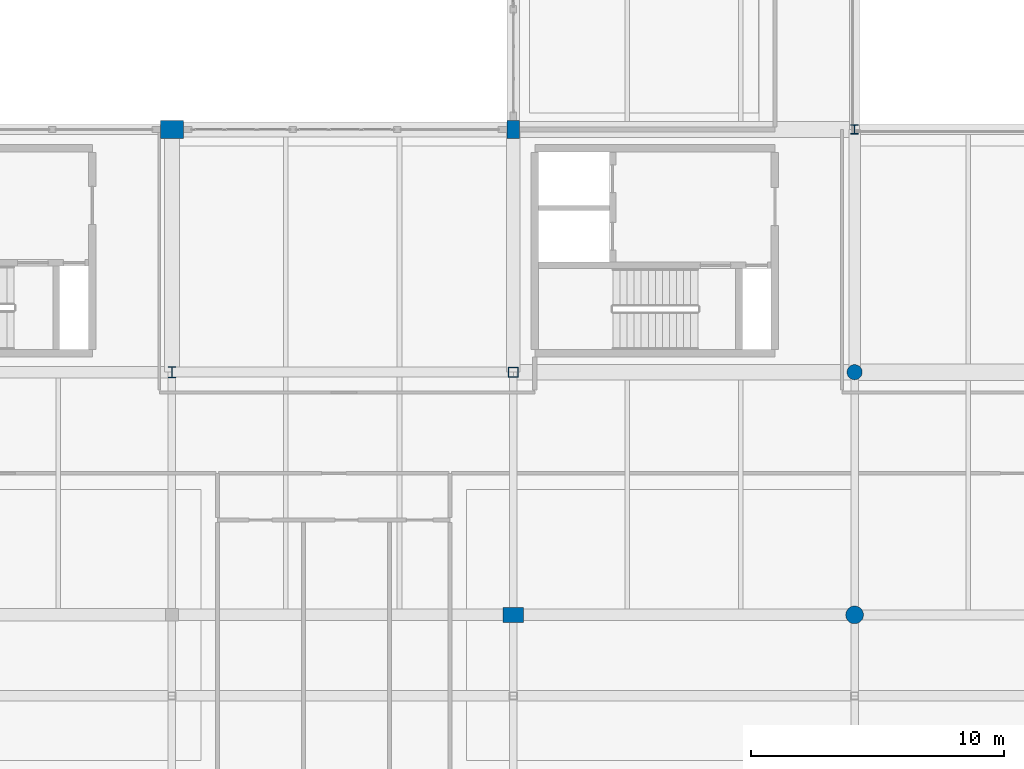
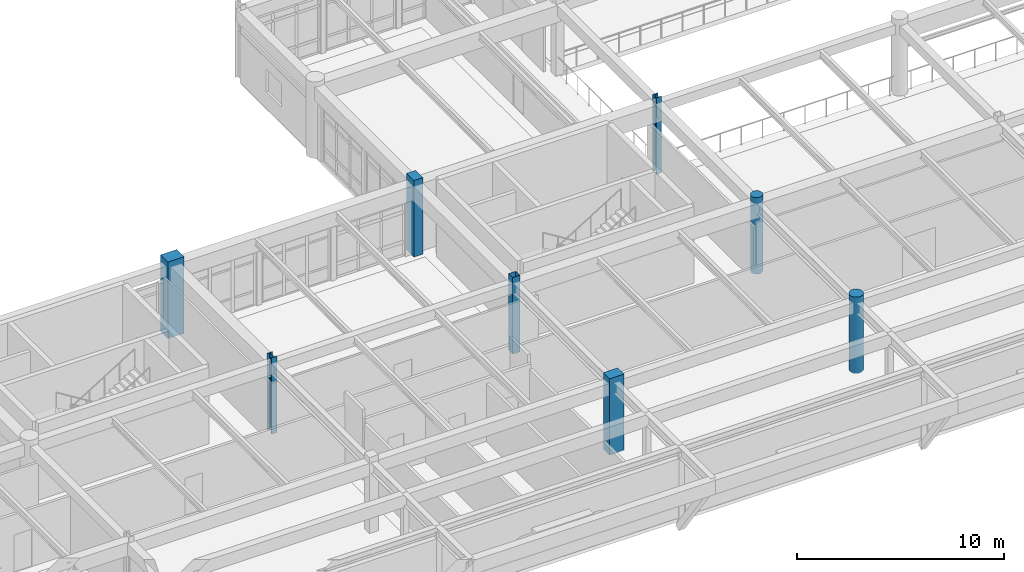
# One storey, part 2 of 80: 8 columns.
"""IFC4 building model written with IfcOpenShell, lengths in metres."""

from ifc_helpers import new_model, si_unit, direction, frame, origin, origin_2d, place, context, subcontext, project, spatial, rectangle, hollow_rectangle, circle, i_section, extrude, material, material_profile, profile_set, type_object, element, save


model = new_model("IFC4")

# Units and contexts
model_context = context("Model", 3, precision=1e-05, world=origin(), true_north=direction((0.0, 1.0)))
body_context = subcontext(model_context, "Body", "Model", "MODEL_VIEW")
ifc_project = project(units=[si_unit("LENGTHUNIT", "METRE"), si_unit("AREAUNIT", "SQUARE_METRE"), si_unit("VOLUMEUNIT", "CUBIC_METRE"), si_unit("PLANEANGLEUNIT", "RADIAN"), si_unit("MASSUNIT", "GRAM", prefix="KILO")], contexts=[model_context])

# Site, building, storey
site_placement = place(None, origin())
site = spatial("IfcSite", under=ifc_project, at=site_placement, CompositionType="ELEMENT")
building_placement = place(site_placement, origin())
building = spatial("IfcBuilding", under=site, at=building_placement, Name="Fikremerkos Civic Library", CompositionType="ELEMENT")
storey_placement = place(building_placement, frame((0.0, 0.0, 9.89990234375)))
storey = spatial("IfcBuildingStorey", under=building, at=storey_placement, Name="L02", CompositionType="ELEMENT", Elevation=9.89990234375)

# Columns
ifc_material_1 = material(Name="Concrete C40/50", Category="concrete")
ifc_material_profile_1 = material_profile(ifc_material_1, rectangle(XDim=0.89990234375, YDim=0.699951171875, at=origin_2d()), Name="RC 900x700")
ifc_profile_set_1 = profile_set([ifc_material_profile_1], Name="Concrete C40/50")
column_type_1 = type_object("IfcColumnType", Name="Structural column COL-13 RC 900x700", PredefinedType="COLUMN", material=ifc_profile_set_1)
column_1_placement = place(storey_placement, frame((32.699951171875, 31.199951171875, 0.0), z_axis=(0.0, 0.0, 1.0), x_axis=(1.0, 0.0, 0.0)))
element("IfcColumn", 1, at=column_1_placement, inside=storey, type_object=column_type_1, Name="Column COL-13 L02 4/G", PredefinedType="COLUMN", context=body_context, shape_type="SweptSolid", body=[
    extrude(rectangle(XDim=0.89990234375, YDim=0.699951171875, at=origin_2d()), origin(), (0.0, 0.0, 1.0), 4.5),
])
ifc_material_profile_2 = material_profile(ifc_material_1, rectangle(XDim=0.800048828125, YDim=0.60009765625, at=origin_2d()), Name="RC 800x600")
ifc_profile_set_2 = profile_set([ifc_material_profile_2], Name="Concrete C40/50")
column_type_2 = type_object("IfcColumnType", Name="Structural column COL-14 RC 800x600", PredefinedType="COLUMN", material=ifc_profile_set_2)
column_2_placement = place(storey_placement, frame((46.199951171875, 12.0, 0.0), z_axis=(0.0, 0.0, 1.0), x_axis=(1.0, 0.0, 0.0)))
element("IfcColumn", 2, at=column_2_placement, inside=storey, type_object=column_type_2, Name="Column COL-14 L02 5/E", PredefinedType="COLUMN", context=body_context, shape_type="SweptSolid", body=[
    extrude(rectangle(XDim=0.800048828125, YDim=0.60009765625, at=origin_2d()), origin(), (0.0, 0.0, 1.0), 4.5),
])
ifc_material_profile_3 = material_profile(ifc_material_1, rectangle(XDim=0.699951171875, YDim=0.5, at=origin_2d()), Name="RC 700x500")
ifc_profile_set_3 = profile_set([ifc_material_profile_3], Name="Concrete C40/50")
column_type_3 = type_object("IfcColumnType", Name="Structural column COL-16 RC 700x500", PredefinedType="COLUMN", material=ifc_profile_set_3)
column_3_placement = place(storey_placement, frame((46.199951171875, 31.199951171875, 0.0), z_axis=(0.0, 0.0, 1.0), x_axis=(0.0, 1.0, 0.0)))
element("IfcColumn", 3, at=column_3_placement, inside=storey, type_object=column_type_3, Name="Column COL-16 L02 5/G", PredefinedType="COLUMN", context=body_context, shape_type="SweptSolid", body=[
    extrude(rectangle(XDim=0.699951171875, YDim=0.5, at=origin_2d()), origin(), (0.0, 0.0, 1.0), 4.5),
])
ifc_material_profile_4 = material_profile(ifc_material_1, circle(Radius=0.35009765625, at=origin_2d()), Name="RC D700")
ifc_profile_set_4 = profile_set([ifc_material_profile_4], Name="Concrete C40/50")
column_type_4 = type_object("IfcColumnType", Name="Structural column COL-19 RC D700", PredefinedType="COLUMN", material=ifc_profile_set_4)
column_4_placement = place(storey_placement, frame((59.699951171875, 12.0, 0.0), z_axis=(0.0, 0.0, 1.0), x_axis=(1.0, 0.0, 0.0)))
element("IfcColumn", 4, at=column_4_placement, inside=storey, type_object=column_type_4, Name="Column COL-19 L02 6/E", PredefinedType="COLUMN", context=body_context, shape_type="SweptSolid", body=[
    extrude(circle(Radius=0.35009765625, at=origin_2d()), origin(), (0.0, 0.0, 1.0), 4.5),
])
ifc_material_profile_5 = material_profile(ifc_material_1, circle(Radius=0.300048828125, at=origin_2d()), Name="RC D600")
ifc_profile_set_5 = profile_set([ifc_material_profile_5], Name="Concrete C40/50")
column_type_5 = type_object("IfcColumnType", Name="Structural column COL-20 RC D600", PredefinedType="COLUMN", material=ifc_profile_set_5)
column_5_placement = place(storey_placement, frame((59.699951171875, 21.60009765625, 0.0), z_axis=(0.0, 0.0, 1.0), x_axis=(1.0, 0.0, 0.0)))
element("IfcColumn", 5, at=column_5_placement, inside=storey, type_object=column_type_5, Name="Column COL-20 L02 6/F", PredefinedType="COLUMN", context=body_context, shape_type="SweptSolid", body=[
    extrude(circle(Radius=0.300048828125, at=origin_2d()), origin(), (0.0, 0.0, 1.0), 4.5),
])
ifc_material_2 = material(Name="Steel S355", Category="steel")
ifc_material_profile_6 = material_profile(ifc_material_2, i_section(OverallWidth=0.300048828125, OverallDepth=0.360107421875, WebThickness=0.012451171875, FlangeThickness=0.0224609375, FilletRadius=0.027099609375, at=origin_2d()), Name="HEB 360")
ifc_profile_set_6 = profile_set([ifc_material_profile_6], Name="Steel S355")
column_type_6 = type_object("IfcColumnType", Name="Structural column COL-25 HEB 360", PredefinedType="COLUMN", material=ifc_profile_set_6)
column_6_placement = place(storey_placement, frame((59.699951171875, 31.199951171875, 0.0), z_axis=(0.0, 0.0, 1.0), x_axis=(1.0, 0.0, 0.0)))
element("IfcColumn", 6, at=column_6_placement, inside=storey, type_object=column_type_6, Name="Column COL-25 L02 6/G", PredefinedType="COLUMN", context=body_context, shape_type="SweptSolid", body=[
    extrude(i_section(OverallWidth=0.300048828125, OverallDepth=0.360107421875, WebThickness=0.012451171875, FlangeThickness=0.0224609375, FilletRadius=0.027099609375, at=origin_2d()), origin(), (0.0, 0.0, 1.0), 4.5),
])
ifc_material_profile_7 = material_profile(ifc_material_2, i_section(OverallWidth=0.300048828125, OverallDepth=0.43994140625, WebThickness=0.011474609375, FlangeThickness=0.02099609375, FilletRadius=0.027099609375, at=origin_2d()), Name="HEA 450")
ifc_profile_set_7 = profile_set([ifc_material_profile_7], Name="Steel S355")
column_type_7 = type_object("IfcColumnType", Name="Structural column COL-28 HEA 450", PredefinedType="COLUMN", material=ifc_profile_set_7)
column_7_placement = place(storey_placement, frame((32.699951171875, 21.60009765625, 0.0), z_axis=(0.0, 0.0, 1.0), x_axis=(1.0, 0.0, 0.0)))
element("IfcColumn", 7, at=column_7_placement, inside=storey, type_object=column_type_7, Name="Column COL-28 L02 4/F", PredefinedType="COLUMN", context=body_context, shape_type="SweptSolid", body=[
    extrude(i_section(OverallWidth=0.300048828125, OverallDepth=0.43994140625, WebThickness=0.011474609375, FlangeThickness=0.02099609375, FilletRadius=0.027099609375, at=origin_2d()), origin(), (0.0, 0.0, 1.0), 4.5),
])
ifc_material_profile_8 = material_profile(ifc_material_2, hollow_rectangle(XDim=0.39990234375, YDim=0.39990234375, WallThickness=0.01611328125, at=origin_2d()), Name="SHS 400x400x16")
ifc_profile_set_8 = profile_set([ifc_material_profile_8], Name="Steel S355")
column_type_8 = type_object("IfcColumnType", Name="Structural column COL-31 SHS 400x400x16", PredefinedType="COLUMN", material=ifc_profile_set_8)
column_8_placement = place(storey_placement, frame((46.199951171875, 21.60009765625, 0.0), z_axis=(0.0, 0.0, 1.0), x_axis=(1.0, 0.0, 0.0)))
element("IfcColumn", 8, at=column_8_placement, inside=storey, type_object=column_type_8, Name="Column COL-31 L02 5/F", PredefinedType="COLUMN", context=body_context, shape_type="SweptSolid", body=[
    extrude(hollow_rectangle(XDim=0.39990234375, YDim=0.39990234375, WallThickness=0.01611328125, at=origin_2d()), origin(), (0.0, 0.0, 1.0), 4.5),
])

save(model, "model.ifc")
